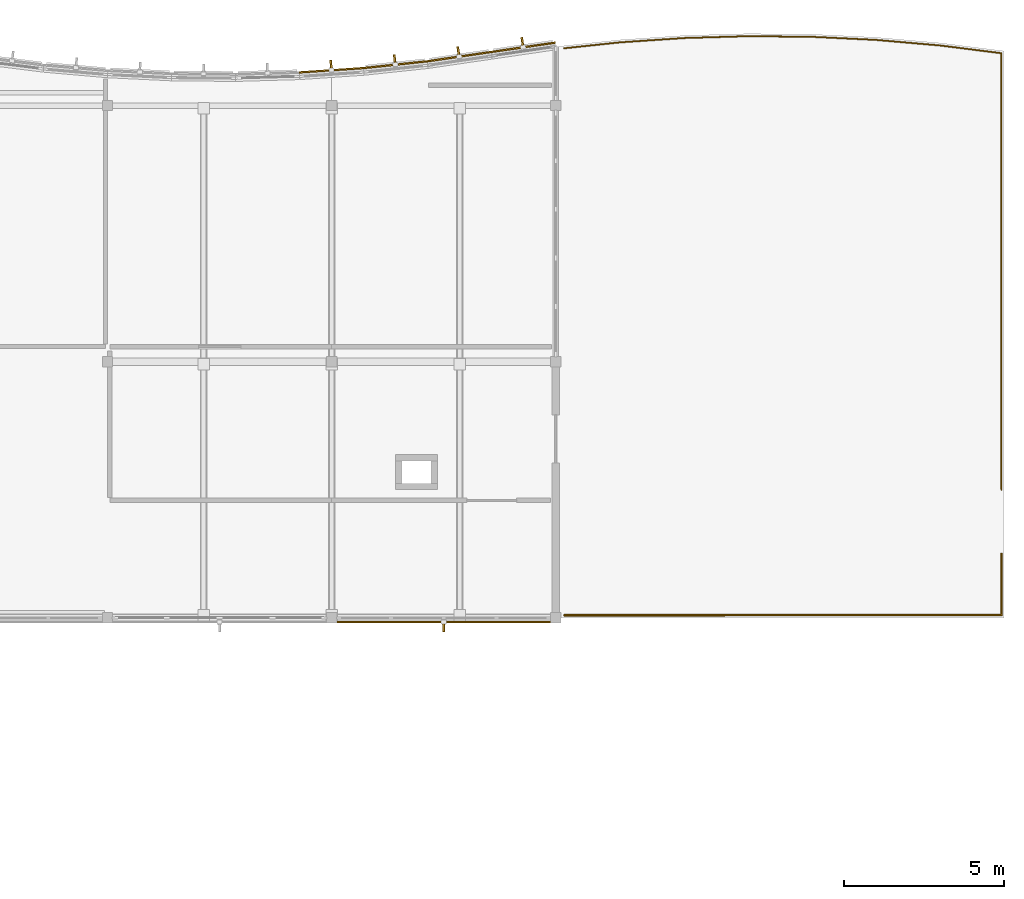
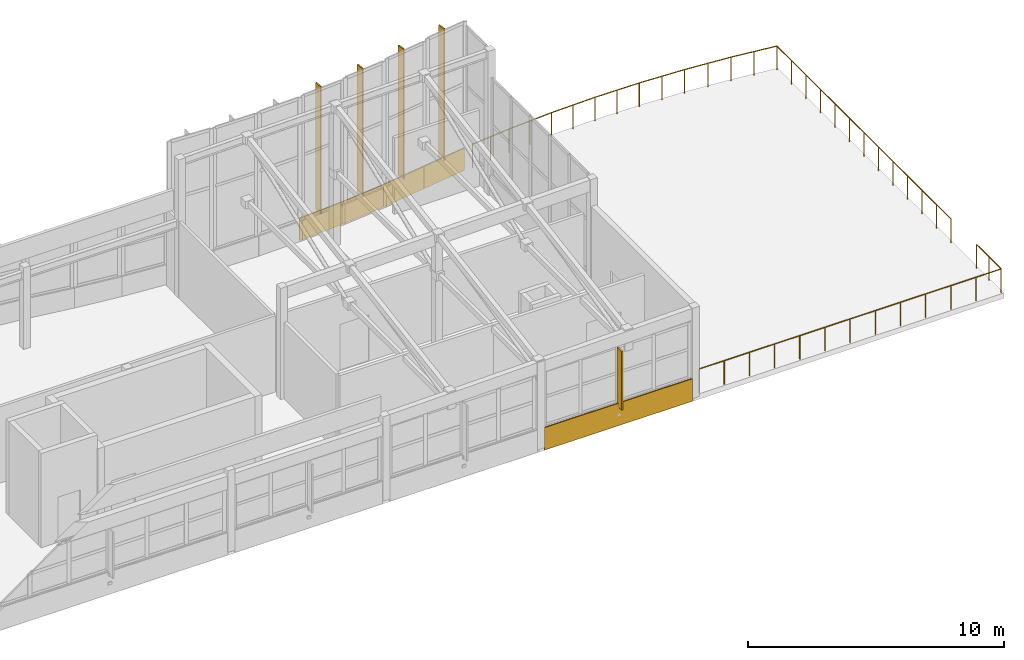
# One storey, part 33 of 33: 5 coverings, 5 shading devices, 2 railings.
"""IFC4 building model written with IfcOpenShell, lengths in metres."""

from ifc_helpers import new_model, si_unit, direction, frame, origin, origin_2d, place, context, subcontext, project, spatial, polyline, rectangle, circle, outline, extrude, material, layer, layer_set, type_object, element, save


model = new_model("IFC4")

# Units and contexts
model_context = context("Model", 3, precision=1e-05, world=origin(), true_north=direction((0.0, 1.0)))
body_context = subcontext(model_context, "Body", "Model", "MODEL_VIEW")
ifc_project = project(units=[si_unit("LENGTHUNIT", "METRE"), si_unit("AREAUNIT", "SQUARE_METRE"), si_unit("VOLUMEUNIT", "CUBIC_METRE"), si_unit("PLANEANGLEUNIT", "RADIAN"), si_unit("MASSUNIT", "GRAM", prefix="KILO")], contexts=[model_context])

# Site, building, storey
site_placement = place(None, origin())
site = spatial("IfcSite", under=ifc_project, at=site_placement, CompositionType="ELEMENT")
building_placement = place(site_placement, origin())
building = spatial("IfcBuilding", under=site, at=building_placement, Name="Tonlespit Floodbar School", CompositionType="ELEMENT")
storey_placement = place(building_placement, frame((0.0, 0.0, 16.199951171875)))
storey = spatial("IfcBuildingStorey", under=building, at=storey_placement, Name="L04", CompositionType="ELEMENT", Elevation=16.199951171875)

# Railing
ifc_material_1 = material(Name="Galvanised Steel", Category="steel")
railing_type_1 = type_object("IfcRailingType", Name="Balustrade_Ext_1150", PredefinedType="BALUSTRADE", material=ifc_material_1)
railing_1_placement = place(storey_placement, frame((148.254150390625, 121.7880859375, 0.0)))
element("IfcRailing", 1, at=railing_1_placement, inside=storey, type_object=railing_type_1, Name="L04 terrace balustrade 028", PredefinedType="BALUSTRADE", context=body_context, shape_type="SweptSolid", body=[
    extrude(circle(Radius=0.02392578125, at=origin_2d()), frame((0.0, 0.0, 1.1259765625), z_axis=(0.994383330825, 0.105838515568, 0.0), x_axis=(-0.105838515568, 0.994383330825, 0.0)), (0.0, 0.0, 1.0), 1.762451171875),
    extrude(circle(Radius=0.02392578125, at=origin_2d()), frame((1.75244140625, 0.1865234375, 1.1259765625), z_axis=(0.997730859539, 0.067328537221, 0.0), x_axis=(-0.067328537221, 0.997730859539, 0.0)), (0.0, 0.0, 1.0), 2.001708984375),
    extrude(circle(Radius=0.02392578125, at=origin_2d()), frame((3.74951171875, 0.3212890625, 1.1259765625), z_axis=(0.999583972049, 0.028842378947, 0.0), x_axis=(-0.028842378947, 0.999583972049, 0.0)), (0.0, 0.0, 1.0), 1.99755859375),
    extrude(circle(Radius=0.02392578125, at=origin_2d()), frame((5.746337890625, 0.37890625, 1.1259765625), z_axis=(0.999953367661, -0.00965725135, 0.0), x_axis=(0.00965725135, 0.999953367661, 0.0)), (0.0, 0.0, 1.0), 1.9970703125),
    extrude(circle(Radius=0.02392578125, at=origin_2d()), frame((7.743408203125, 0.359619140625, 1.1259765625), z_axis=(0.998847599437, -0.047994511136, 0.0), x_axis=(0.047994511136, 0.998847599437, 0.0)), (0.0, 0.0, 1.0), 1.9990234375),
    extrude(circle(Radius=0.02392578125, at=origin_2d()), frame((9.740234375, 0.263671875, 1.1259765625), z_axis=(0.996242873121, -0.086603335712, 0.0), x_axis=(0.086603335712, 0.996242873121, 0.0)), (0.0, 0.0, 1.0), 2.00439453125),
    extrude(circle(Radius=0.02392578125, at=origin_2d()), frame((11.737060546875, 0.090087890625, 1.1259765625), z_axis=(0.992157590231, -0.124993264406, 0.0), x_axis=(0.124993264406, 0.992157590231, 0.0)), (0.0, 0.0, 1.0), 1.943359375),
    extrude(circle(Radius=0.02392578125, at=origin_2d()), frame((13.665283203125, -0.15283203125, 1.1259765625), z_axis=(3.5810206e-05, -0.999999999359, 0.0), x_axis=(0.999999999359, 3.5810206e-05, 0.0)), (0.0, 0.0, 1.0), 13.63525390625),
    extrude(circle(Radius=0.02099609375, at=origin_2d()), origin(), (0.0, 0.0, 1.0), 1.101806640625),
    extrude(circle(Radius=0.02099609375, at=origin_2d()), frame((0.876220703125, 0.09326171875, 0.0)), (0.0, 0.0, 1.0), 1.101806640625),
    extrude(circle(Radius=0.02099609375, at=origin_2d()), frame((1.75244140625, 0.1865234375, 0.0)), (0.0, 0.0, 1.0), 1.101806640625),
    extrude(circle(Radius=0.02099609375, at=origin_2d()), frame((2.7509765625, 0.25390625, 0.0)), (0.0, 0.0, 1.0), 1.101806640625),
    extrude(circle(Radius=0.02099609375, at=origin_2d()), frame((3.74951171875, 0.3212890625, 0.0)), (0.0, 0.0, 1.0), 1.101806640625),
    extrude(circle(Radius=0.02099609375, at=origin_2d()), frame((4.748046875, 0.35009765625, 0.0)), (0.0, 0.0, 1.0), 1.101806640625),
    extrude(circle(Radius=0.02099609375, at=origin_2d()), frame((5.746337890625, 0.37890625, 0.0)), (0.0, 0.0, 1.0), 1.101806640625),
    extrude(circle(Radius=0.02099609375, at=origin_2d()), frame((6.744873046875, 0.369140625, 0.0)), (0.0, 0.0, 1.0), 1.101806640625),
    extrude(circle(Radius=0.02099609375, at=origin_2d()), frame((7.743408203125, 0.359619140625, 0.0)), (0.0, 0.0, 1.0), 1.101806640625),
    extrude(circle(Radius=0.02099609375, at=origin_2d()), frame((8.74169921875, 0.3115234375, 0.0)), (0.0, 0.0, 1.0), 1.101806640625),
    extrude(circle(Radius=0.02099609375, at=origin_2d()), frame((9.740234375, 0.263671875, 0.0)), (0.0, 0.0, 1.0), 1.101806640625),
    extrude(circle(Radius=0.02099609375, at=origin_2d()), frame((10.73876953125, 0.1767578125, 0.0)), (0.0, 0.0, 1.0), 1.101806640625),
    extrude(circle(Radius=0.02099609375, at=origin_2d()), frame((11.737060546875, 0.090087890625, 0.0)), (0.0, 0.0, 1.0), 1.101806640625),
    extrude(circle(Radius=0.02099609375, at=origin_2d()), frame((12.701171875, -0.03125, 0.0)), (0.0, 0.0, 1.0), 1.101806640625),
    extrude(circle(Radius=0.02099609375, at=origin_2d()), frame((13.665283203125, -0.15283203125, 0.0)), (0.0, 0.0, 1.0), 1.101806640625),
    extrude(circle(Radius=0.02099609375, at=origin_2d()), frame((13.665283203125, -1.2890625, 0.0)), (0.0, 0.0, 1.0), 1.101806640625),
    extrude(circle(Radius=0.02099609375, at=origin_2d()), frame((13.665283203125, -2.42529296875, 0.0)), (0.0, 0.0, 1.0), 1.101806640625),
    extrude(circle(Radius=0.02099609375, at=origin_2d()), frame((13.66552734375, -3.5615234375, 0.0)), (0.0, 0.0, 1.0), 1.101806640625),
    extrude(circle(Radius=0.02099609375, at=origin_2d()), frame((13.66552734375, -4.697998046875, 0.0)), (0.0, 0.0, 1.0), 1.101806640625),
    extrude(circle(Radius=0.02099609375, at=origin_2d()), frame((13.66552734375, -5.834228515625, 0.0)), (0.0, 0.0, 1.0), 1.101806640625),
    extrude(circle(Radius=0.02099609375, at=origin_2d()), frame((13.66552734375, -6.970458984375, 0.0)), (0.0, 0.0, 1.0), 1.101806640625),
    extrude(circle(Radius=0.02099609375, at=origin_2d()), frame((13.66552734375, -8.106689453125, 0.0)), (0.0, 0.0, 1.0), 1.101806640625),
    extrude(circle(Radius=0.02099609375, at=origin_2d()), frame((13.66552734375, -9.242919921875, 0.0)), (0.0, 0.0, 1.0), 1.101806640625),
    extrude(circle(Radius=0.02099609375, at=origin_2d()), frame((13.66552734375, -10.37939453125, 0.0)), (0.0, 0.0, 1.0), 1.101806640625),
    extrude(circle(Radius=0.02099609375, at=origin_2d()), frame((13.665771484375, -11.515625, 0.0)), (0.0, 0.0, 1.0), 1.101806640625),
    extrude(circle(Radius=0.02099609375, at=origin_2d()), frame((13.665771484375, -12.65185546875, 0.0)), (0.0, 0.0, 1.0), 1.101806640625),
    extrude(circle(Radius=0.02099609375, at=origin_2d()), frame((13.665771484375, -13.7880859375, 0.0)), (0.0, 0.0, 1.0), 1.101806640625),
])

# Coverings
ifc_material_2 = material(Name="White Architectural Aluminium", Category="aluminium")
ifc_layer_1 = layer(ifc_material_2, 0.050048828125)
ifc_layer_set_1 = layer_set([ifc_layer_1], Name="White Architectural Aluminium")
covering_type = type_object("IfcCoveringType", Name="Cladding_WhiteBand_50", PredefinedType="CLADDING", material=ifc_layer_set_1)
covering_1_placement = place(storey_placement, frame((0.0, 0.0, -0.119873046875)))
element("IfcCovering", 2, at=covering_1_placement, inside=storey, type_object=covering_type, Name="L04 curved white spandrel cladding 0738", PredefinedType="CLADDING", context=body_context, shape_type="SweptSolid", body=[
    extrude(outline(polyline([(139.993408203125, 121.010498046875), (141.993408203125, 121.1455078125), (141.989990234375, 121.1953125), (139.989990234375, 121.060302734375), (139.993408203125, 121.010498046875)])), origin(), (0.0, 0.0, 1.0), 1.06982421875),
])
covering_2_placement = place(storey_placement, frame((0.0, 0.0, -0.119873046875)))
element("IfcCovering", 3, at=covering_2_placement, inside=storey, type_object=covering_type, Name="L04 curved white spandrel cladding 0739", PredefinedType="CLADDING", context=body_context, shape_type="SweptSolid", body=[
    extrude(outline(polyline([(141.989501953125, 121.14501953125), (143.989501953125, 121.35791015625), (143.984130859375, 121.407470703125), (141.984130859375, 121.19482421875), (141.989501953125, 121.14501953125)])), origin(), (0.0, 0.0, 1.0), 1.06982421875),
])
covering_3_placement = place(storey_placement, frame((0.0, 0.0, -0.119873046875)))
element("IfcCovering", 4, at=covering_3_placement, inside=storey, type_object=covering_type, Name="L04 curved white spandrel cladding 0740", PredefinedType="CLADDING", context=body_context, shape_type="SweptSolid", body=[
    extrude(outline(polyline([(143.985595703125, 121.357421875), (145.985595703125, 121.64892578125), (145.978515625, 121.698486328125), (143.978515625, 121.406982421875), (143.985595703125, 121.357421875)])), origin(), (0.0, 0.0, 1.0), 1.06982421875),
])
covering_4_placement = place(storey_placement, frame((0.0, 0.0, -0.119873046875)))
element("IfcCovering", 5, at=covering_4_placement, inside=storey, type_object=covering_type, Name="L04 curved white spandrel cladding 0741", PredefinedType="CLADDING", context=body_context, shape_type="SweptSolid", body=[
    extrude(outline(polyline([(145.985595703125, 121.64892578125), (147.985595703125, 121.940673828125), (147.978515625, 121.989990234375), (145.978515625, 121.698486328125), (145.985595703125, 121.64892578125)])), origin(), (0.0, 0.0, 1.0), 1.06982421875),
])
covering_5_placement = place(storey_placement, frame((0.0, 0.0, -0.119873046875)))
element("IfcCovering", 6, at=covering_5_placement, inside=storey, type_object=covering_type, Name="L04 curved white spandrel cladding 0742", PredefinedType="CLADDING", context=body_context, shape_type="SweptSolid", body=[
    extrude(outline(polyline([(147.840087890625, 103.89990234375), (141.159912109375, 103.89990234375), (141.159912109375, 103.85009765625), (147.840087890625, 103.85009765625), (147.840087890625, 103.89990234375)])), origin(), (0.0, 0.0, 1.0), 1.06982421875),
])

# Railing
ifc_material_3 = material(Name="Anodised Aluminium", Category="aluminium")
railing_type_2 = type_object("IfcRailingType", Name="Guardrail_Terrace_1150", PredefinedType="GUARDRAIL", material=ifc_material_3)
railing_2_placement = place(storey_placement, frame((161.919921875, 106.0, 0.0)))
element("IfcRailing", 7, at=railing_2_placement, inside=storey, type_object=railing_type_2, Name="L04 terrace balustrade 029", PredefinedType="GUARDRAIL", context=body_context, shape_type="SweptSolid", body=[
    extrude(circle(Radius=0.02392578125, at=origin_2d()), frame((0.0, 0.0, 1.1259765625), z_axis=(0.0, -1.0, 0.0), x_axis=(1.0, 0.0, 0.0)), (0.0, 0.0, 1.0), 1.91943359375),
    extrude(circle(Radius=0.02392578125, at=origin_2d()), frame((0.0, -1.91943359375, 1.1259765625), z_axis=(-0.99999999984, -1.7883649e-05, 0.0), x_axis=(1.7883649e-05, -0.99999999984, 0.0)), (0.0, 0.0, 1.0), 13.651611328125),
    extrude(circle(Radius=0.02099609375, at=origin_2d()), origin(), (0.0, 0.0, 1.0), 1.101806640625),
    extrude(circle(Radius=0.02099609375, at=origin_2d()), frame((0.0, -0.959716796875, 0.0)), (0.0, 0.0, 1.0), 1.101806640625),
    extrude(circle(Radius=0.02099609375, at=origin_2d()), frame((0.0, -1.91943359375, 0.0)), (0.0, 0.0, 1.0), 1.101806640625),
    extrude(circle(Radius=0.02099609375, at=origin_2d()), frame((-1.1376953125, -1.91943359375, 0.0)), (0.0, 0.0, 1.0), 1.101806640625),
    extrude(circle(Radius=0.02099609375, at=origin_2d()), frame((-2.275390625, -1.91943359375, 0.0)), (0.0, 0.0, 1.0), 1.101806640625),
    extrude(circle(Radius=0.02099609375, at=origin_2d()), frame((-3.412841796875, -1.91943359375, 0.0)), (0.0, 0.0, 1.0), 1.101806640625),
    extrude(circle(Radius=0.02099609375, at=origin_2d()), frame((-4.550537109375, -1.91943359375, 0.0)), (0.0, 0.0, 1.0), 1.101806640625),
    extrude(circle(Radius=0.02099609375, at=origin_2d()), frame((-5.688232421875, -1.91943359375, 0.0)), (0.0, 0.0, 1.0), 1.101806640625),
    extrude(circle(Radius=0.02099609375, at=origin_2d()), frame((-6.82568359375, -1.91943359375, 0.0)), (0.0, 0.0, 1.0), 1.101806640625),
    extrude(circle(Radius=0.02099609375, at=origin_2d()), frame((-7.96337890625, -1.919677734375, 0.0)), (0.0, 0.0, 1.0), 1.101806640625),
    extrude(circle(Radius=0.02099609375, at=origin_2d()), frame((-9.10107421875, -1.919677734375, 0.0)), (0.0, 0.0, 1.0), 1.101806640625),
    extrude(circle(Radius=0.02099609375, at=origin_2d()), frame((-10.23876953125, -1.919677734375, 0.0)), (0.0, 0.0, 1.0), 1.101806640625),
    extrude(circle(Radius=0.02099609375, at=origin_2d()), frame((-11.37646484375, -1.919677734375, 0.0)), (0.0, 0.0, 1.0), 1.101806640625),
    extrude(circle(Radius=0.02099609375, at=origin_2d()), frame((-12.513916015625, -1.919677734375, 0.0)), (0.0, 0.0, 1.0), 1.101806640625),
    extrude(circle(Radius=0.02099609375, at=origin_2d()), frame((-13.651611328125, -1.919677734375, 0.0)), (0.0, 0.0, 1.0), 1.101806640625),
])

# Shading devices
ifc_material_4 = material(Name="Terracotta Anodised Aluminium", Category="masonry")
ifc_layer_2 = layer(ifc_material_4, 0.06005859375)
ifc_layer_set_2 = layer_set([ifc_layer_2], Name="Terracotta Anodised Aluminium")
shading_device_type = type_object("IfcShadingDeviceType", Name="Shading_SolarFin_350", PredefinedType="USERDEFINED", material=ifc_layer_set_2)
shading_device_1_placement = place(storey_placement, frame((140.982421875, 121.237548828125, 0.800048828125), z_axis=(0.0, 0.0, 1.0), x_axis=(0.997729639049, 0.067346621018, 0.0)))
element("IfcShadingDevice", 8, at=shading_device_1_placement, inside=storey, type_object=shading_device_type, Name="L04 vertical solar fin 337", ObjectType="SOLAR FIN", PredefinedType="USERDEFINED", context=body_context, shape_type="SweptSolid", body=[
    extrude(rectangle(XDim=0.06005859375, YDim=0.35009765625, at=origin_2d()), origin(), (0.0, 0.0, 1.0), 6.0673828125),
])
shading_device_2_placement = place(storey_placement, frame((142.972412109375, 121.41064453125, 0.800048828125), z_axis=(0.0, 0.0, 1.0), x_axis=(0.99439234017, 0.105753835922, 0.0)))
element("IfcShadingDevice", 9, at=shading_device_2_placement, inside=storey, type_object=shading_device_type, Name="L04 vertical solar fin 338", ObjectType="SOLAR FIN", PredefinedType="USERDEFINED", context=body_context, shape_type="SweptSolid", body=[
    extrude(rectangle(XDim=0.06005859375, YDim=0.35009765625, at=origin_2d()), origin(), (0.0, 0.0, 1.0), 6.13037109375),
])
shading_device_3_placement = place(storey_placement, frame((144.96240234375, 121.66162109375, 0.7998046875), z_axis=(0.0, 0.0, 1.0), x_axis=(0.989537627347, 0.144275029245, 0.0)))
element("IfcShadingDevice", 10, at=shading_device_3_placement, inside=storey, type_object=shading_device_type, Name="L04 vertical solar fin 339", ObjectType="SOLAR FIN", PredefinedType="USERDEFINED", context=body_context, shape_type="SweptSolid", body=[
    extrude(rectangle(XDim=0.06005859375, YDim=0.35009765625, at=origin_2d()), origin(), (0.0, 0.0, 1.0), 6.205810546875),
])
shading_device_4_placement = place(storey_placement, frame((146.96240234375, 121.953125, 0.800048828125), z_axis=(0.0, 0.0, 1.0), x_axis=(0.989537627347, 0.144275029245, 0.0)))
element("IfcShadingDevice", 11, at=shading_device_4_placement, inside=storey, type_object=shading_device_type, Name="L04 vertical solar fin 340", ObjectType="SOLAR FIN", PredefinedType="USERDEFINED", context=body_context, shape_type="SweptSolid", body=[
    extrude(rectangle(XDim=0.06005859375, YDim=0.35009765625, at=origin_2d()), origin(), (0.0, 0.0, 1.0), 6.2939453125),
])
shading_device_5_placement = place(storey_placement, frame((144.5, 103.739990234375, 0.7998046875), z_axis=(0.0, 0.0, 1.0), x_axis=(-1.0, 0.0, 0.0)))
element("IfcShadingDevice", 12, at=shading_device_5_placement, inside=storey, type_object=shading_device_type, Name="L04 vertical solar fin 341", ObjectType="SOLAR FIN", PredefinedType="USERDEFINED", context=body_context, shape_type="SweptSolid", body=[
    extrude(rectangle(XDim=0.06005859375, YDim=0.35009765625, at=origin_2d()), origin(), (0.0, 0.0, 1.0), 2.788330078125),
])

save(model, "model.ifc")
